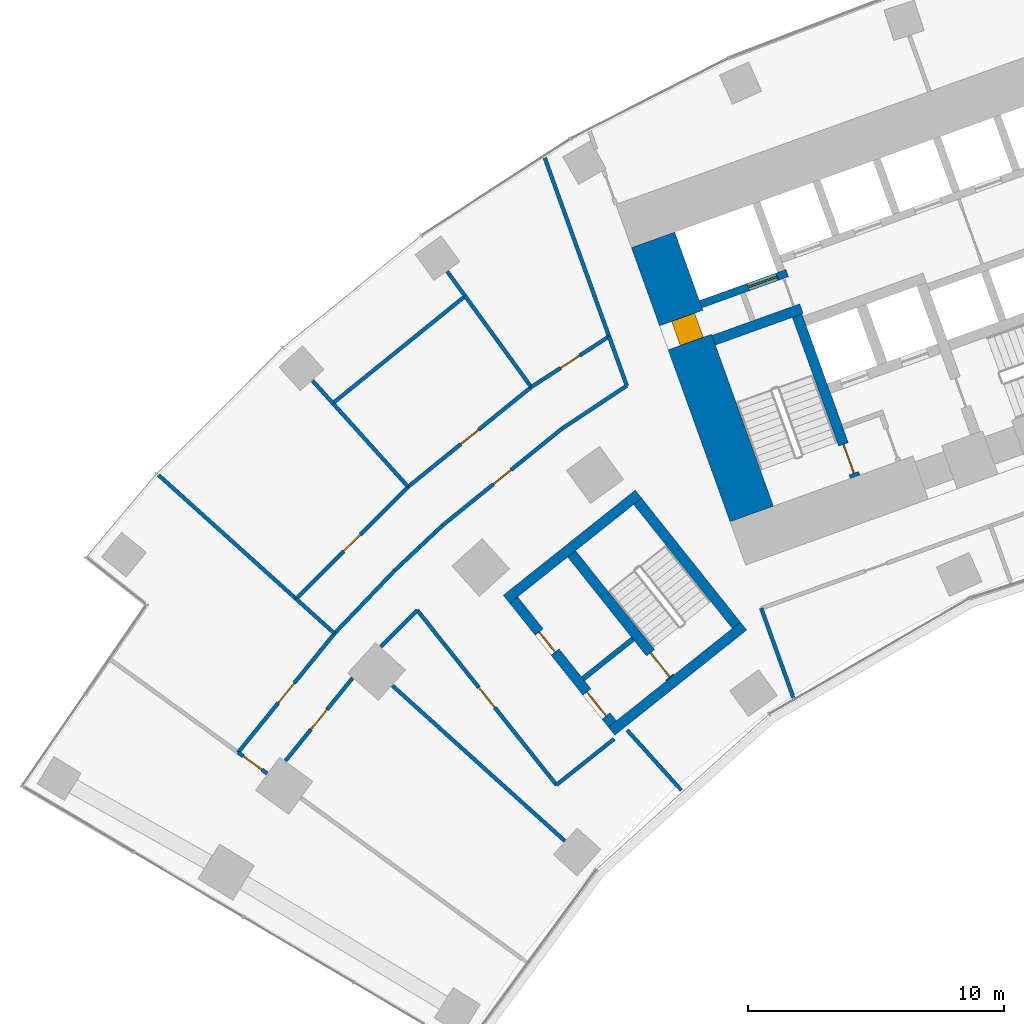
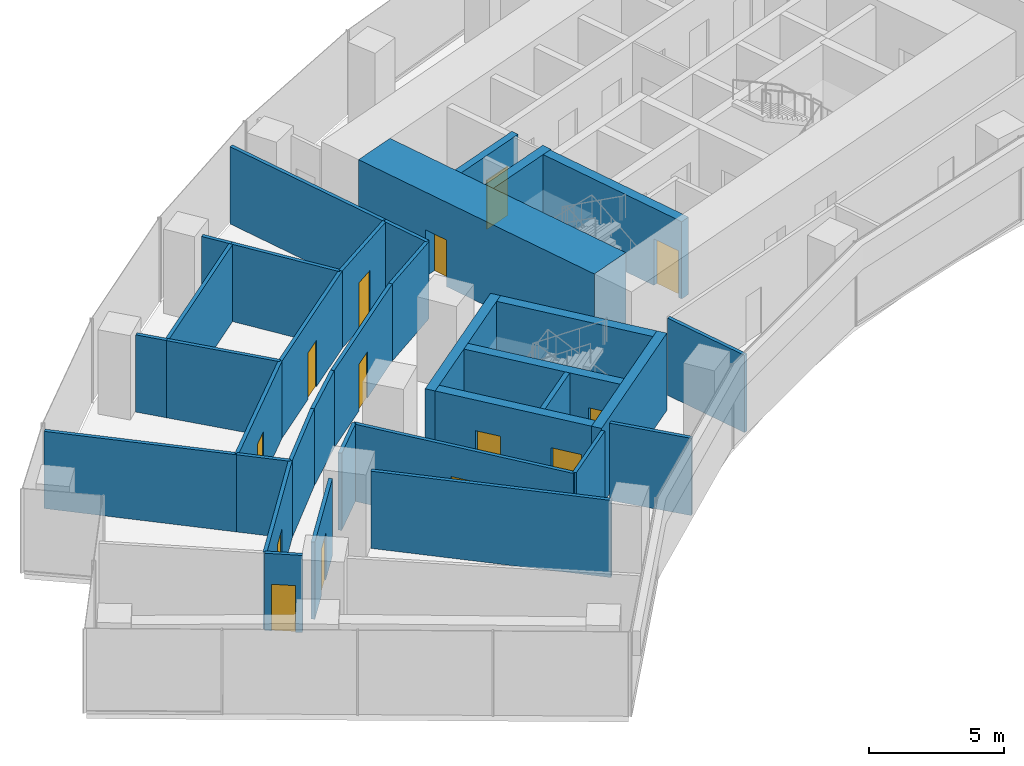
# One storey, part 14 of 21: 35 walls, 14 doors, 14 openings.
"""IFC4 building model written with IfcOpenShell, lengths in metres."""

import ifcopenshell
import ifcopenshell.guid

model = None  # the IFC model being written
_history = None  # IfcOwnerHistory: only IFC2X3 demands one
_inside = {}  # id of a spatial element -> (the spatial element, [elements in it])
_under = {}  # id of a project, library or spatial element -> (it, [spatial elements below it])
_declared = {}  # id of a project -> (the project, [libraries it declares])
_typed = {}  # id of a type object -> (the type object, [elements of that type])
_made_of = {}  # id of a material, layer set ... -> (it, [elements and type objects made of it])


def new_model(schema):
    """Start an empty IFC model of exactly this schema.

    Asked for "IFC4X3", IfcOpenShell would pick the latest addendum, in which some entities
    have other attributes; the version numbers below select the first issue.
    IFC2X3 requires an IfcOwnerHistory on every rooted entity: one is made here for all.
    """
    global model, _history
    if schema == "IFC4X3":
        model = ifcopenshell.file(schema_version=(4, 3, 0, 0))
    else:
        model = ifcopenshell.file(schema=schema)
    _inside.clear()
    _under.clear()
    _declared.clear()
    _typed.clear()
    _made_of.clear()
    _history = None
    if model.schema == "IFC2X3":
        org = make("IfcOrganization", Name="unknown")
        user = make(
            "IfcPersonAndOrganization",
            ThePerson=make("IfcPerson", FamilyName="unknown"),
            TheOrganization=org,
        )
        app = make(
            "IfcApplication",
            ApplicationDeveloper=org,
            Version="unknown",
            ApplicationFullName="unknown",
            ApplicationIdentifier="unknown",
        )
        _history = make(
            "IfcOwnerHistory",
            OwningUser=user,
            OwningApplication=app,
            ChangeAction="ADDED",
            CreationDate=0,
        )
    return model


def make(cls, **values):
    """One entity of the class cls with the attributes given. An attribute that is None is left unset."""
    return model.create_entity(
        cls, **{name: value for name, value in values.items() if value is not None}
    )


def rooted(cls, **values):
    """An entity with a GlobalId (a new one), such as an element, a storey or a relation."""
    return make(cls, GlobalId=ifcopenshell.guid.new(), OwnerHistory=_history, **values)


def si_unit(unit_type, name, prefix=None):
    """IfcSIUnit, for example si_unit("LENGTHUNIT", "METRE", prefix="MILLI")."""
    return make("IfcSIUnit", UnitType=unit_type, Prefix=prefix, Name=name)


def assignment(units):
    """IfcUnitAssignment: the units of a project."""
    return None if units is None else make("IfcUnitAssignment", Units=units)


def point(xyz):
    """IfcCartesianPoint."""
    return None if xyz is None else make("IfcCartesianPoint", Coordinates=xyz)


def direction(xyz):
    """IfcDirection."""
    return None if xyz is None else make("IfcDirection", DirectionRatios=xyz)


def frame(location, z_axis=None, x_axis=None):
    """IfcAxis2Placement3D, a coordinate frame: its origin and axes. An axis left out is left unset."""
    return make(
        "IfcAxis2Placement3D",
        Location=point(location),
        Axis=direction(z_axis),
        RefDirection=direction(x_axis),
    )


def frame_2d(location, x_axis=None):
    """IfcAxis2Placement2D, a coordinate frame in the plane: its origin and x axis."""
    return make(
        "IfcAxis2Placement2D", Location=point(location), RefDirection=direction(x_axis)
    )


def origin():
    """The frame at (0, 0, 0) with its axes left unset."""
    return frame((0.0, 0.0, 0.0))


def place(relative_to, where):
    """IfcLocalPlacement: puts the frame where relative to a parent placement (None: the world)."""
    return make(
        "IfcLocalPlacement", PlacementRelTo=relative_to, RelativePlacement=where
    )


def context(
    kind, dimensions, precision=None, world=None, true_north=None, identifier=None
):
    """IfcGeometricRepresentationContext, for example the 3D "Model" context."""
    return make(
        "IfcGeometricRepresentationContext",
        ContextIdentifier=identifier,
        ContextType=kind,
        CoordinateSpaceDimension=dimensions,
        Precision=precision,
        WorldCoordinateSystem=world,
        TrueNorth=true_north,
    )


def subcontext(parent, identifier, kind, view, scale=None):
    """IfcGeometricRepresentationSubContext, for example "Body" below "Model"."""
    return make(
        "IfcGeometricRepresentationSubContext",
        ContextIdentifier=identifier,
        ContextType=kind,
        ParentContext=parent,
        TargetScale=scale,
        TargetView=view,
    )


def project(units=None, contexts=None):
    """IfcProject with its units and contexts."""
    return rooted(
        "IfcProject",
        Name="project",
        RepresentationContexts=contexts,
        UnitsInContext=assignment(units),
    )


def spatial(cls, under=None, at=None, **own):
    """A site, building, storey or space (cls), placed at a placement, below another one or the project."""
    s = rooted(cls, ObjectPlacement=at, **own)
    if under is not None:
        _under.setdefault(under.id(), (under, []))[1].append(s)
    return s


def profile(cls, at=None, kind="AREA", **sizes):
    """A parametric profile (cls). Its sizes go by their IFC names, for example OverallWidth=200.0."""
    return make(cls, ProfileType=kind, Position=at, **sizes)


def rectangle(**sizes):
    """IfcRectangleProfileDef."""
    return profile("IfcRectangleProfileDef", **sizes)


def extrude(swept, where, along, depth):
    """IfcExtrudedAreaSolid: the profile swept, set in the frame where, extruded along a direction by depth."""
    return make(
        "IfcExtrudedAreaSolid",
        SweptArea=swept,
        Position=where,
        ExtrudedDirection=direction(along),
        Depth=depth,
    )


def shape(context_of_items, identifier, shape_type, items):
    """IfcShapeRepresentation: the items that make up one representation, for example the "Body"."""
    return make(
        "IfcShapeRepresentation",
        ContextOfItems=context_of_items,
        RepresentationIdentifier=identifier,
        RepresentationType=shape_type,
        Items=items,
    )


def material(Name=None, Category=None):
    """IfcMaterial."""
    return make("IfcMaterial", Name=Name, Category=Category)


def layer(
    of_material, thickness, ventilated=None, Name=None, Category=None, Priority=None
):
    """IfcMaterialLayer: one layer of a wall or slab, of a material (None: an air gap)."""
    return make(
        "IfcMaterialLayer",
        Material=of_material,
        LayerThickness=thickness,
        IsVentilated=ventilated,
        Name=Name,
        Category=Category,
        Priority=Priority,
    )


def layer_set(layers, Name=None):
    """IfcMaterialLayerSet."""
    return make("IfcMaterialLayerSet", MaterialLayers=layers, LayerSetName=Name)


def made_of(thing, what):
    """Note that an element or type object is made of a material, layer set ...; save() writes the relation."""
    if what is not None:
        _made_of.setdefault(what.id(), (what, []))[1].append(thing)
    return thing


def type_object(cls, material=None, **own):
    """A type object (cls), such as IfcWallType, which elements share."""
    return made_of(rooted(cls, **own), material)


def element(
    cls,
    number,
    at=None,
    inside=None,
    cuts=None,
    type_object=None,
    material=None,
    context=None,
    identifier="Body",
    shape_type=None,
    held_by="IfcProductDefinitionShape",
    body=None,
    shapes=None,
    **own,
):
    """One element of the class cls, such as IfcWall. Its Tag is "e" and its number.

    at: its placement. inside: the storey or other place that contains it. cuts: it is an
    opening in that element (IfcRelVoidsElement). A single representation is given by context,
    identifier, shape_type and body (its items); several are given by shapes. held_by: the class
    of the entity that holds the representations. save() writes the other relations.
    """
    e = rooted(cls, Tag="e%d" % number, ObjectPlacement=at, **own)
    if body is not None:
        shapes = [shape(context, identifier, shape_type, body)]
    if shapes is not None:
        e.Representation = make(held_by, Representations=shapes)
    if inside is not None:
        _inside.setdefault(inside.id(), (inside, []))[1].append(e)
    if cuts is not None:
        rooted(
            "IfcRelVoidsElement", RelatingBuildingElement=cuts, RelatedOpeningElement=e
        )
    if type_object is not None:
        _typed.setdefault(type_object.id(), (type_object, []))[1].append(e)
    return made_of(e, material)


def fill(opening, filler):
    """IfcRelFillsElement: the door or window that sits in an opening."""
    return rooted(
        "IfcRelFillsElement",
        RelatingOpeningElement=opening,
        RelatedBuildingElement=filler,
    )


def aggregate(whole, parts):
    """IfcRelAggregates: a whole, such as a stair, and the parts it consists of."""
    return rooted("IfcRelAggregates", RelatingObject=whole, RelatedObjects=parts)


def save(model, path):
    """Write the relations noted so far, then the file.

    IfcRelAggregates (storeys below a building ...), IfcRelContainedInSpatialStructure (elements
    in a storey), IfcRelDefinesByType, IfcRelAssociatesMaterial and IfcRelDeclares: one each for
    every whole, place, type object, material and project.
    """
    for whole, parts in _under.values():
        aggregate(whole, parts)
    for where, things in _inside.values():
        rooted(
            "IfcRelContainedInSpatialStructure",
            RelatedElements=things,
            RelatingStructure=where,
        )
    for kind, things in _typed.values():
        rooted("IfcRelDefinesByType", RelatedObjects=things, RelatingType=kind)
    for what, things in _made_of.values():
        rooted("IfcRelAssociatesMaterial", RelatedObjects=things, RelatingMaterial=what)
    for by, libraries in _declared.values():
        rooted("IfcRelDeclares", RelatingContext=by, RelatedDefinitions=libraries)
    model.write(path)


model = new_model("IFC4")

# Units and contexts
model_context = context("Model", 3, precision=1e-05, world=origin(), true_north=direction((0.0, 1.0)))
body_context = subcontext(model_context, "Body", "Model", "MODEL_VIEW")
ifc_project = project(units=[si_unit("LENGTHUNIT", "METRE"), si_unit("AREAUNIT", "SQUARE_METRE"), si_unit("VOLUMEUNIT", "CUBIC_METRE"), si_unit("PLANEANGLEUNIT", "RADIAN"), si_unit("MASSUNIT", "GRAM", prefix="KILO")], contexts=[model_context])

# Site, building, storey
site_placement = place(None, origin())
site = spatial("IfcSite", under=ifc_project, at=site_placement, CompositionType="ELEMENT")
building_placement = place(site_placement, origin())
building = spatial("IfcBuilding", under=site, at=building_placement, Name="Stone Belt Terrace Tower", CompositionType="ELEMENT")
storey_placement = place(building_placement, frame((0.0, 0.0, 33.800048828125)))
storey = spatial("IfcBuildingStorey", under=building, at=storey_placement, Name="L07", CompositionType="ELEMENT", Elevation=33.800048828125)

# Wall, opening, door
ifc_material_1 = material(Name="Concrete B80", Category="concrete")
ifc_layer_1 = layer(ifc_material_1, 1.800048828125)
ifc_layer_set_1 = layer_set([ifc_layer_1], Name="Core wall 1800 B80")
wall_type_1 = type_object("IfcWallType", Name="Core wall 1800 B80", PredefinedType="SHEAR", material=ifc_layer_set_1)
wall_1_placement = place(storey_placement, frame((-26.197509765625, 42.96728515625, 0.0), z_axis=(0.0, 0.0, 1.0), x_axis=(-0.338625431531, 0.940921259788, 0.0)))
wall_1 = element("IfcWall", 1, at=wall_1_placement, inside=storey, type_object=wall_type_1, Name="Core A wall end_a L07", PredefinedType="SHEAR", context=body_context, shape_type="SweptSolid", body=[
    extrude(rectangle(XDim=11.400146484375, YDim=1.800048828125, at=frame_2d((5.7001953125, 0.0))), origin(), (0.0, 0.0, 1.0), 3.800048828125),
])
opening_1_placement = place(wall_1_placement, frame((7.150146484375, 0.0, 0.0)))
opening_1 = element("IfcOpeningElement", 2, at=opening_1_placement, cuts=wall_1, Name="Opening L07-C01", PredefinedType="OPENING", context=body_context, shape_type="SweptSolid", body=[
    extrude(rectangle(XDim=1.0, YDim=2.10009765625, at=frame_2d((0.5, 1.050048828125))), frame((0.0, 0.909912109375, 0.0), z_axis=(0.0, -1.0, 0.0), x_axis=(1.0, 0.0, 0.0)), (0.0, 0.0, 1.0), 1.820068359375),
])
ifc_material_2 = material(Name="Timber door leaf", Category="wood")
door_type_1 = type_object("IfcDoorType", Name="Core room door 1000", OperationType="SINGLE_SWING_LEFT", PredefinedType="DOOR", material=ifc_material_2)
door_1_placement = place(opening_1_placement, origin())
door_1 = element("IfcDoor", 3, at=door_1_placement, inside=storey, type_object=door_type_1, Name="Door to Telecommunications riser room core A", OperationType="SINGLE_SWING_LEFT", OverallHeight=2.10009765625, OverallWidth=1.0, PredefinedType="DOOR", context=body_context, shape_type="SweptSolid", body=[
    extrude(rectangle(XDim=1.0, YDim=2.10009765625, at=frame_2d((0.5, 1.050048828125))), frame((0.0, 0.39501953125, 0.0), z_axis=(0.0, -1.0, 0.0), x_axis=(1.0, 0.0, 0.0)), (0.0, 0.0, 1.0), 0.949951171875),
])
fill(opening_1, door_1)

ifc_layer_2 = layer(ifc_material_1, 0.300048828125)
ifc_layer_set_2 = layer_set([ifc_layer_2], Name="Lift shaft wall 300")
wall_type_2 = type_object("IfcWallType", Name="Lift shaft wall 300", PredefinedType="SHEAR", material=ifc_layer_set_2)
wall_2_placement = place(storey_placement, frame((-28.195068359375, 51.17578125, 0.0), z_axis=(0.0, 0.0, 1.0), x_axis=(0.940901243567, 0.338681044427, 0.0)))
wall_2 = element("IfcWall", 4, at=wall_2_placement, inside=storey, type_object=wall_type_2, Name="Core A wall", PredefinedType="SHEAR", context=body_context, shape_type="SweptSolid", body=[
    extrude(rectangle(XDim=3.599853515625, YDim=0.300048828125, at=frame_2d((1.7998046875, 0.0))), origin(), (0.0, 0.0, 1.0), 3.47998046875),
])
opening_2_placement = place(wall_2_placement, frame((1.969970703125, 0.0, 0.0)))
opening_2 = element("IfcOpeningElement", 5, at=opening_2_placement, cuts=wall_2, Name="Opening L07-LD09", PredefinedType="OPENING", context=body_context, shape_type="SweptSolid", body=[
    extrude(rectangle(XDim=1.199951171875, YDim=2.199951171875, at=frame_2d((0.60009765625, 1.10009765625))), frame((0.0, 0.159912109375, 0.0), z_axis=(0.0, -1.0, 0.0), x_axis=(1.0, 0.0, 0.0)), (0.0, 0.0, 1.0), 0.320068359375),
])
ifc_material_3 = material(Name="Stainless steel door leaf", Category="steel")
door_type_2 = type_object("IfcDoorType", Name="Landing door 1200", OperationType="SLIDING_TO_LEFT", PredefinedType="DOOR", material=ifc_material_3)
door_2_placement = place(opening_2_placement, origin())
door_2 = element("IfcDoor", 6, at=door_2_placement, inside=storey, type_object=door_type_2, Name="Landing door SV1 core A", OperationType="SLIDING_TO_LEFT", OverallHeight=2.199951171875, OverallWidth=1.199951171875, PredefinedType="DOOR", context=body_context, shape_type="SweptSolid", body=[
    extrude(rectangle(XDim=1.199951171875, YDim=2.199951171875, at=frame_2d((0.60009765625, 1.10009765625))), frame((0.0, 0.02490234375, 0.0), z_axis=(0.0, -1.0, 0.0), x_axis=(1.0, 0.0, 0.0)), (0.0, 0.0, 1.0), 0.050048828125),
])
fill(opening_2, door_2)

# Walls
ifc_material_4 = material(Name="Gypsum board partition")
ifc_layer_3 = layer(ifc_material_4, 0.14990234375)
ifc_layer_set_3 = layer_set([ifc_layer_3], Name="PARTITION 150 EI 60")
wall_type_3 = type_object("IfcWallType", Name="PARTITION 150 EI 60", PredefinedType="PARTITIONING", material=ifc_layer_set_3)
wall_3_placement = place(storey_placement, frame((-25.826904296875, 39.281005859375, 0.0), z_axis=(0.0, 0.0, 1.0), x_axis=(0.338392582605, -0.941005026574, 0.0)))
element("IfcWall", 7, at=wall_3_placement, inside=storey, type_object=wall_type_3, Name="L07/wall/i001", PredefinedType="PARTITIONING", context=body_context, shape_type="SweptSolid", body=[
    extrude(rectangle(XDim=3.729248046875, YDim=0.14990234375, at=frame_2d((1.86474609375, 0.0))), origin(), (0.0, 0.0, 1.0), 3.47998046875),
])
wall_4_placement = place(storey_placement, frame((-28.94775390625, 32.149658203125, 0.0), z_axis=(0.0, 0.0, 1.0), x_axis=(-0.669245279782, 0.74304155704, 0.0)))
element("IfcWall", 8, at=wall_4_placement, inside=storey, type_object=wall_type_3, Name="L07/wall/i004", PredefinedType="PARTITIONING", context=body_context, shape_type="SweptSolid", body=[
    extrude(rectangle(XDim=3.172607421875, YDim=0.14990234375, at=frame_2d((1.58642578125, 0.0))), origin(), (0.0, 0.0, 1.0), 3.47998046875),
])
wall_5_placement = place(storey_placement, frame((-31.083984375, 47.98095703125, 0.0), z_axis=(0.0, 0.0, 1.0), x_axis=(-0.338975203453, 0.940795307941, 0.0)))
element("IfcWall", 9, at=wall_5_placement, inside=storey, type_object=wall_type_3, Name="L07/wall/i005", PredefinedType="PARTITIONING", context=body_context, shape_type="SweptSolid", body=[
    extrude(rectangle(XDim=2.06201171875, YDim=0.14990234375, at=frame_2d((1.031005859375, 0.0))), origin(), (0.0, 0.0, 1.0), 3.47998046875),
])
wall_6_placement = place(storey_placement, frame((-31.779052734375, 49.909912109375, 0.0), z_axis=(0.0, 0.0, 1.0), x_axis=(-0.338595127204, 0.940932165373, 0.0)))
element("IfcWall", 10, at=wall_6_placement, inside=storey, type_object=wall_type_3, Name="L07/wall/i006", PredefinedType="PARTITIONING", context=body_context, shape_type="SweptSolid", body=[
    extrude(rectangle(XDim=7.439697265625, YDim=0.14990234375, at=frame_2d((3.7197265625, 0.0))), origin(), (0.0, 0.0, 1.0), 3.47998046875),
])

# Wall, opening, door
wall_7_placement = place(storey_placement, frame((-45.167236328125, 32.816162109375, 0.0), z_axis=(0.0, 0.0, 1.0), x_axis=(-0.809353623303, 0.587321643094, 0.0)))
wall_7 = element("IfcWall", 11, at=wall_7_placement, inside=storey, type_object=wall_type_3, Name="L07/wall/i031", PredefinedType="PARTITIONING", context=body_context, shape_type="SweptSolid", body=[
    extrude(rectangle(XDim=1.40087890625, YDim=0.14990234375, at=frame_2d((0.700439453125, 0.0))), origin(), (0.0, 0.0, 1.0), 3.47998046875),
])
opening_3_placement = place(wall_7_placement, frame((0.25048828125, 0.0, 0.0)))
opening_3 = element("IfcOpeningElement", 12, at=opening_3_placement, cuts=wall_7, Name="Opening D-A1b-09", PredefinedType="OPENING", context=body_context, shape_type="SweptSolid", body=[
    extrude(rectangle(XDim=0.89990234375, YDim=2.10009765625, at=frame_2d((0.449951171875, 1.050048828125))), frame((0.0, 0.0849609375, 0.0), z_axis=(0.0, -1.0, 0.0), x_axis=(1.0, 0.0, 0.0)), (0.0, 0.0, 1.0), 0.169921875),
])
ifc_material_5 = material(Name="Timber fire door leaf", Category="wood")
door_type_3 = type_object("IfcDoorType", Name="TENANCY ENTRANCE DOOR 900 X 2100", OperationType="NOTDEFINED", PredefinedType="DOOR", material=ifc_material_5)
door_3_placement = place(opening_3_placement, origin())
door_3 = element("IfcDoor", 13, at=door_3_placement, inside=storey, type_object=door_type_3, Name="L07/door/i09", OperationType="SINGLE_SWING_RIGHT", OverallHeight=2.10009765625, OverallWidth=0.89990234375, PredefinedType="DOOR", context=body_context, shape_type="SweptSolid", body=[
    extrude(rectangle(XDim=0.89990234375, YDim=2.10009765625, at=frame_2d((0.449951171875, 1.050048828125))), frame((0.0, 0.02490234375, 0.0), z_axis=(0.0, -1.0, 0.0), x_axis=(1.0, 0.0, 0.0)), (0.0, 0.0, 1.0), 0.050048828125),
])
fill(opening_3, door_3)

# Wall
wall_8_placement = place(storey_placement, frame((-40.1640625, 40.761962890625, 0.0), z_axis=(0.0, 0.0, 1.0), x_axis=(0.727996599904, 0.685580739613, 0.0)))
element("IfcWall", 14, at=wall_8_placement, inside=storey, type_object=wall_type_3, Name="L07/wall/i034", PredefinedType="PARTITIONING", context=body_context, shape_type="SweptSolid", body=[
    extrude(rectangle(XDim=2.572998046875, YDim=0.14990234375, at=frame_2d((1.28662109375, 0.0))), origin(), (0.0, 0.0, 1.0), 3.47998046875),
])

# Wall, opening, door
wall_9_placement = place(storey_placement, frame((-38.2900390625, 42.527099609375, 0.0), z_axis=(0.0, 0.0, 1.0), x_axis=(0.77714422733, 0.629322532513, 0.0)))
wall_9 = element("IfcWall", 15, at=wall_9_placement, inside=storey, type_object=wall_type_3, Name="L07/wall/i035", PredefinedType="PARTITIONING", context=body_context, shape_type="SweptSolid", body=[
    extrude(rectangle(XDim=5.98876953125, YDim=0.14990234375, at=frame_2d((2.994384765625, 0.0))), origin(), (0.0, 0.0, 1.0), 3.47998046875),
])
opening_4_placement = place(wall_9_placement, frame((2.54443359375, 0.0, 0.0)))
opening_4 = element("IfcOpeningElement", 16, at=opening_4_placement, cuts=wall_9, Name="Opening D-A1b-12", PredefinedType="OPENING", context=body_context, shape_type="SweptSolid", body=[
    extrude(rectangle(XDim=0.89990234375, YDim=2.10009765625, at=frame_2d((0.449951171875, 1.050048828125))), frame((0.0, 0.0849609375, 0.0), z_axis=(0.0, -1.0, 0.0), x_axis=(1.0, 0.0, 0.0)), (0.0, 0.0, 1.0), 0.169921875),
])
door_type_4 = type_object("IfcDoorType", Name="OFFICE DOOR 900 X 2100", OperationType="NOTDEFINED", PredefinedType="DOOR", material=ifc_material_2)
door_4_placement = place(opening_4_placement, origin())
door_4 = element("IfcDoor", 17, at=door_4_placement, inside=storey, type_object=door_type_4, Name="L07/door/i12", OperationType="SINGLE_SWING_RIGHT", OverallHeight=2.10009765625, OverallWidth=0.89990234375, PredefinedType="DOOR", context=body_context, shape_type="SweptSolid", body=[
    extrude(rectangle(XDim=0.89990234375, YDim=2.10009765625, at=frame_2d((0.449951171875, 1.050048828125))), frame((0.0, 0.02490234375, 0.0), z_axis=(0.0, -1.0, 0.0), x_axis=(1.0, 0.0, 0.0)), (0.0, 0.0, 1.0), 0.050048828125),
])
fill(opening_4, door_4)

# Walls
wall_10_placement = place(storey_placement, frame((-33.635986328125, 46.2958984375, 0.0), z_axis=(0.0, 0.0, 1.0), x_axis=(0.833385857539, 0.552691607005, 0.0)))
element("IfcWall", 18, at=wall_10_placement, inside=storey, type_object=wall_type_3, Name="L07/wall/i036", PredefinedType="PARTITIONING", context=body_context, shape_type="SweptSolid", body=[
    extrude(rectangle(XDim=3.059814453125, YDim=0.14990234375, at=frame_2d((1.52978515625, 0.0))), origin(), (0.0, 0.0, 1.0), 3.47998046875),
])
wall_11_placement = place(storey_placement, frame((-39.285888671875, 39.200927734375, 0.0), z_axis=(0.0, 0.0, 1.0), x_axis=(-0.707106781187, -0.707106781187, 0.0)))
element("IfcWall", 19, at=wall_11_placement, inside=storey, type_object=wall_type_3, Name="L07/wall/i037", PredefinedType="PARTITIONING", context=body_context, shape_type="SweptSolid", body=[
    extrude(rectangle(XDim=2.017333984375, YDim=0.14990234375, at=frame_2d((1.0087890625, 0.0))), origin(), (0.0, 0.0, 1.0), 3.47998046875),
])

# Wall, opening, door
wall_12_placement = place(storey_placement, frame((-41.82373046875, 36.541259765625, 0.0), z_axis=(0.0, 0.0, 1.0), x_axis=(-0.629213442028, -0.777232554884, 0.0)))
wall_12 = element("IfcWall", 20, at=wall_12_placement, inside=storey, type_object=wall_type_3, Name="L07/wall/i038", PredefinedType="PARTITIONING", context=body_context, shape_type="SweptSolid", body=[
    extrude(rectangle(XDim=4.15478515625, YDim=0.14990234375, at=frame_2d((2.077392578125, 0.0))), origin(), (0.0, 0.0, 1.0), 3.47998046875),
])
opening_5_placement = place(wall_12_placement, frame((1.577392578125, 0.0, 0.0)))
opening_5 = element("IfcOpeningElement", 21, at=opening_5_placement, cuts=wall_12, Name="Opening D-A1b-11", PredefinedType="OPENING", context=body_context, shape_type="SweptSolid", body=[
    extrude(rectangle(XDim=1.0, YDim=2.10009765625, at=frame_2d((0.5, 1.050048828125))), frame((0.0, 0.0849609375, 0.0), z_axis=(0.0, -1.0, 0.0), x_axis=(1.0, 0.0, 0.0)), (0.0, 0.0, 1.0), 0.169921875),
])
door_type_5 = type_object("IfcDoorType", Name="TENANCY ENTRANCE DOOR 1000 X 2100", OperationType="NOTDEFINED", PredefinedType="DOOR", material=ifc_material_5)
door_5_placement = place(opening_5_placement, origin())
door_5 = element("IfcDoor", 22, at=door_5_placement, inside=storey, type_object=door_type_5, Name="L07/door/i11", OperationType="SINGLE_SWING_RIGHT", OverallHeight=2.10009765625, OverallWidth=1.0, PredefinedType="DOOR", context=body_context, shape_type="SweptSolid", body=[
    extrude(rectangle(XDim=1.0, YDim=2.10009765625, at=frame_2d((0.5, 1.050048828125))), frame((0.0, 0.02490234375, 0.0), z_axis=(0.0, -1.0, 0.0), x_axis=(1.0, 0.0, 0.0)), (0.0, 0.0, 1.0), 0.050048828125),
])
fill(opening_5, door_5)

# Wall
wall_13_placement = place(storey_placement, frame((-42.52587890625, 38.291015625, 0.0), z_axis=(0.0, 0.0, 1.0), x_axis=(0.690963131402, 0.722889999269, 0.0)))
element("IfcWall", 23, at=wall_13_placement, inside=storey, type_object=wall_type_3, Name="L07/wall/i039", PredefinedType="PARTITIONING", context=body_context, shape_type="SweptSolid", body=[
    extrude(rectangle(XDim=3.418212890625, YDim=0.14990234375, at=frame_2d((1.708984375, 0.0))), origin(), (0.0, 0.0, 1.0), 3.47998046875),
])

# Wall, opening, door
wall_14_placement = place(storey_placement, frame((-46.2958984375, 33.635986328125, 0.0), z_axis=(0.0, 0.0, 1.0), x_axis=(0.629322532513, 0.77714422733, 0.0)))
wall_14 = element("IfcWall", 24, at=wall_14_placement, inside=storey, type_object=wall_type_3, Name="L07/wall/i040", PredefinedType="PARTITIONING", context=body_context, shape_type="SweptSolid", body=[
    extrude(rectangle(XDim=5.98876953125, YDim=0.14990234375, at=frame_2d((2.994384765625, 0.0))), origin(), (0.0, 0.0, 1.0), 3.47998046875),
])
opening_6_placement = place(wall_14_placement, frame((2.494384765625, 0.0, 0.0)))
opening_6 = element("IfcOpeningElement", 25, at=opening_6_placement, cuts=wall_14, Name="Opening D-A1b-16", PredefinedType="OPENING", context=body_context, shape_type="SweptSolid", body=[
    extrude(rectangle(XDim=1.0, YDim=2.10009765625, at=frame_2d((0.5, 1.050048828125))), frame((0.0, 0.0849609375, 0.0), z_axis=(0.0, -1.0, 0.0), x_axis=(1.0, 0.0, 0.0)), (0.0, 0.0, 1.0), 0.169921875),
])
door_6_placement = place(opening_6_placement, origin())
door_6 = element("IfcDoor", 26, at=door_6_placement, inside=storey, type_object=door_type_5, Name="L07/door/i16", OperationType="SINGLE_SWING_RIGHT", OverallHeight=2.10009765625, OverallWidth=1.0, PredefinedType="DOOR", context=body_context, shape_type="SweptSolid", body=[
    extrude(rectangle(XDim=1.0, YDim=2.10009765625, at=frame_2d((0.5, 1.050048828125))), frame((0.0, 0.02490234375, 0.0), z_axis=(0.0, -1.0, 0.0), x_axis=(1.0, 0.0, 0.0)), (0.0, 0.0, 1.0), 0.050048828125),
])
fill(opening_6, door_6)

# Wall
wall_15_placement = place(storey_placement, frame((-31.58203125, 34.1640625, 0.0), z_axis=(0.0, 0.0, 1.0), x_axis=(-0.78211299795, -0.623136629029, 0.0)))
element("IfcWall", 27, at=wall_15_placement, inside=storey, type_object=wall_type_3, Name="L07/wall/i041", PredefinedType="PARTITIONING", context=body_context, shape_type="SweptSolid", body=[
    extrude(rectangle(XDim=2.88720703125, YDim=0.14990234375, at=frame_2d((1.443603515625, 0.0))), origin(), (0.0, 0.0, 1.0), 3.47998046875),
])

# Wall, opening, door
wall_16_placement = place(storey_placement, frame((-33.841064453125, 32.365966796875, 0.0), z_axis=(0.0, 0.0, 1.0), x_axis=(-0.623137799721, 0.782112065217, 0.0)))
wall_16 = element("IfcWall", 28, at=wall_16_placement, inside=storey, type_object=wall_type_3, Name="L07/wall/i042", PredefinedType="PARTITIONING", context=body_context, shape_type="SweptSolid", body=[
    extrude(rectangle(XDim=8.744384765625, YDim=0.14990234375, at=frame_2d((4.3720703125, 0.0))), origin(), (0.0, 0.0, 1.0), 3.47998046875),
])
opening_7_placement = place(wall_16_placement, frame((3.8720703125, 0.0, 0.0)))
opening_7 = element("IfcOpeningElement", 29, at=opening_7_placement, cuts=wall_16, Name="Opening D-A1b-10", PredefinedType="OPENING", context=body_context, shape_type="SweptSolid", body=[
    extrude(rectangle(XDim=1.0, YDim=2.10009765625, at=frame_2d((0.5, 1.050048828125))), frame((0.0, 0.0849609375, 0.0), z_axis=(0.0, -1.0, 0.0), x_axis=(1.0, 0.0, 0.0)), (0.0, 0.0, 1.0), 0.169921875),
])
door_7_placement = place(opening_7_placement, origin())
door_7 = element("IfcDoor", 30, at=door_7_placement, inside=storey, type_object=door_type_5, Name="L07/door/i10", OperationType="SINGLE_SWING_RIGHT", OverallHeight=2.10009765625, OverallWidth=1.0, PredefinedType="DOOR", context=body_context, shape_type="SweptSolid", body=[
    extrude(rectangle(XDim=1.0, YDim=2.10009765625, at=frame_2d((0.5, 1.050048828125))), frame((0.0, 0.02490234375, 0.0), z_axis=(0.0, -1.0, 0.0), x_axis=(1.0, 0.0, 0.0)), (0.0, 0.0, 1.0), 0.050048828125),
])
fill(opening_7, door_7)

# Wall
wall_17_placement = place(storey_placement, frame((-33.515869140625, 30.177734375, 0.0), z_axis=(0.0, 0.0, 1.0), x_axis=(-0.743122805234, 0.669155061508, 0.0)))
element("IfcWall", 31, at=wall_17_placement, inside=storey, type_object=wall_type_3, Name="L07/wall/i043", PredefinedType="PARTITIONING", context=body_context, shape_type="SweptSolid", body=[
    extrude(rectangle(XDim=9.070068359375, YDim=0.14990234375, at=frame_2d((4.53515625, 0.0))), origin(), (0.0, 0.0, 1.0), 3.47998046875),
])

# Wall, opening, door
wall_18_placement = place(storey_placement, frame((-44.030029296875, 39.64599609375, 0.0), z_axis=(0.0, 0.0, 1.0), x_axis=(0.707106781187, 0.707106781187, 0.0)))
wall_18 = element("IfcWall", 32, at=wall_18_placement, inside=storey, type_object=wall_type_3, Name="L07/wall/i044", PredefinedType="PARTITIONING", context=body_context, shape_type="SweptSolid", body=[
    extrude(rectangle(XDim=6.201416015625, YDim=0.14990234375, at=frame_2d((3.1005859375, 0.0))), origin(), (0.0, 0.0, 1.0), 3.47998046875),
])
opening_8_placement = place(wall_18_placement, frame((2.650634765625, 0.0, 0.0)))
opening_8 = element("IfcOpeningElement", 33, at=opening_8_placement, cuts=wall_18, Name="Opening D-A1b-13", PredefinedType="OPENING", context=body_context, shape_type="SweptSolid", body=[
    extrude(rectangle(XDim=0.89990234375, YDim=2.10009765625, at=frame_2d((0.449951171875, 1.050048828125))), frame((0.0, 0.0849609375, 0.0), z_axis=(0.0, -1.0, 0.0), x_axis=(1.0, 0.0, 0.0)), (0.0, 0.0, 1.0), 0.169921875),
])
door_8_placement = place(opening_8_placement, origin())
door_8 = element("IfcDoor", 34, at=door_8_placement, inside=storey, type_object=door_type_4, Name="L07/door/i13", OperationType="SINGLE_SWING_RIGHT", OverallHeight=2.10009765625, OverallWidth=0.89990234375, PredefinedType="DOOR", context=body_context, shape_type="SweptSolid", body=[
    extrude(rectangle(XDim=0.89990234375, YDim=2.10009765625, at=frame_2d((0.449951171875, 1.050048828125))), frame((0.0, 0.02490234375, 0.0), z_axis=(0.0, -1.0, 0.0), x_axis=(1.0, 0.0, 0.0)), (0.0, 0.0, 1.0), 0.050048828125),
])
fill(opening_8, door_8)

wall_19_placement = place(storey_placement, frame((-39.64501953125, 44.031005859375, 0.0), z_axis=(0.0, 0.0, 1.0), x_axis=(0.777094493267, 0.629383943658, 0.0)))
wall_19 = element("IfcWall", 35, at=wall_19_placement, inside=storey, type_object=wall_type_3, Name="L07/wall/i045", PredefinedType="PARTITIONING", context=body_context, shape_type="SweptSolid", body=[
    extrude(rectangle(XDim=6.201416015625, YDim=0.14990234375, at=frame_2d((3.1005859375, 0.0))), origin(), (0.0, 0.0, 1.0), 3.47998046875),
])
opening_9_placement = place(wall_19_placement, frame((2.650634765625, 0.0, 0.0)))
opening_9 = element("IfcOpeningElement", 36, at=opening_9_placement, cuts=wall_19, Name="Opening D-A1b-14", PredefinedType="OPENING", context=body_context, shape_type="SweptSolid", body=[
    extrude(rectangle(XDim=0.89990234375, YDim=2.10009765625, at=frame_2d((0.449951171875, 1.050048828125))), frame((0.0, 0.0849609375, 0.0), z_axis=(0.0, -1.0, 0.0), x_axis=(1.0, 0.0, 0.0)), (0.0, 0.0, 1.0), 0.169921875),
])
door_9_placement = place(opening_9_placement, origin())
door_9 = element("IfcDoor", 37, at=door_9_placement, inside=storey, type_object=door_type_4, Name="L07/door/i14", OperationType="SINGLE_SWING_RIGHT", OverallHeight=2.10009765625, OverallWidth=0.89990234375, PredefinedType="DOOR", context=body_context, shape_type="SweptSolid", body=[
    extrude(rectangle(XDim=0.89990234375, YDim=2.10009765625, at=frame_2d((0.449951171875, 1.050048828125))), frame((0.0, 0.02490234375, 0.0), z_axis=(0.0, -1.0, 0.0), x_axis=(1.0, 0.0, 0.0)), (0.0, 0.0, 1.0), 0.050048828125),
])
fill(opening_9, door_9)

wall_20_placement = place(storey_placement, frame((-34.825927734375, 47.93408203125, 0.0), z_axis=(0.0, 0.0, 1.0), x_axis=(0.838179507416, 0.545394456653, 0.0)))
wall_20 = element("IfcWall", 38, at=wall_20_placement, inside=storey, type_object=wall_type_3, Name="L07/wall/i046", PredefinedType="PARTITIONING", context=body_context, shape_type="SweptSolid", body=[
    extrude(rectangle(XDim=3.634033203125, YDim=0.14990234375, at=frame_2d((1.81689453125, 0.0))), origin(), (0.0, 0.0, 1.0), 3.47998046875),
])
opening_10_placement = place(wall_20_placement, frame((1.366943359375, 0.0, 0.0)))
opening_10 = element("IfcOpeningElement", 39, at=opening_10_placement, cuts=wall_20, Name="Opening D-A1b-15", PredefinedType="OPENING", context=body_context, shape_type="SweptSolid", body=[
    extrude(rectangle(XDim=0.89990234375, YDim=2.10009765625, at=frame_2d((0.449951171875, 1.050048828125))), frame((0.0, 0.0849609375, 0.0), z_axis=(0.0, -1.0, 0.0), x_axis=(1.0, 0.0, 0.0)), (0.0, 0.0, 1.0), 0.169921875),
])
door_10_placement = place(opening_10_placement, origin())
door_10 = element("IfcDoor", 40, at=door_10_placement, inside=storey, type_object=door_type_4, Name="L07/door/i15", OperationType="SINGLE_SWING_RIGHT", OverallHeight=2.10009765625, OverallWidth=0.89990234375, PredefinedType="DOOR", context=body_context, shape_type="SweptSolid", body=[
    extrude(rectangle(XDim=0.89990234375, YDim=2.10009765625, at=frame_2d((0.449951171875, 1.050048828125))), frame((0.0, 0.02490234375, 0.0), z_axis=(0.0, -1.0, 0.0), x_axis=(1.0, 0.0, 0.0)), (0.0, 0.0, 1.0), 0.050048828125),
])
fill(opening_10, door_10)

# Walls
wall_21_placement = place(storey_placement, frame((-42.52587890625, 38.291015625, 0.0), z_axis=(0.0, 0.0, 1.0), x_axis=(-0.742988249307, 0.669304460908, 0.0)))
element("IfcWall", 41, at=wall_21_placement, inside=storey, type_object=wall_type_3, Name="L07/wall/i047", PredefinedType="PARTITIONING", context=body_context, shape_type="SweptSolid", body=[
    extrude(rectangle(XDim=2.0244140625, YDim=0.14990234375, at=frame_2d((1.01220703125, 0.0))), origin(), (0.0, 0.0, 1.0), 3.47998046875),
])
wall_22_placement = place(storey_placement, frame((-42.593017578125, 47.304931640625, 0.0), z_axis=(0.0, 0.0, 1.0), x_axis=(0.669148410698, -0.743128793992, 0.0)))
element("IfcWall", 42, at=wall_22_placement, inside=storey, type_object=wall_type_3, Name="L07/wall/i048", PredefinedType="PARTITIONING", context=body_context, shape_type="SweptSolid", body=[
    extrude(rectangle(XDim=4.405517578125, YDim=0.14990234375, at=frame_2d((2.20263671875, 0.0))), origin(), (0.0, 0.0, 1.0), 3.47998046875),
])
wall_23_placement = place(storey_placement, frame((-43.382080078125, 48.18115234375, 0.0), z_axis=(0.0, 0.0, 1.0), x_axis=(0.669145878726, -0.743131073892, 0.0)))
element("IfcWall", 43, at=wall_23_placement, inside=storey, type_object=wall_type_3, Name="L07/wall/i049", PredefinedType="PARTITIONING", context=body_context, shape_type="SweptSolid", body=[
    extrude(rectangle(XDim=1.191162109375, YDim=0.14990234375, at=frame_2d((0.595703125, 0.0))), origin(), (0.0, 0.0, 1.0), 3.47998046875),
])
wall_24_placement = place(storey_placement, frame((-44.030029296875, 39.64599609375, 0.0), z_axis=(0.0, 0.0, 1.0), x_axis=(-0.74319367285, 0.669076351874, 0.0)))
element("IfcWall", 44, at=wall_24_placement, inside=storey, type_object=wall_type_3, Name="L07/wall/i050", PredefinedType="PARTITIONING", context=body_context, shape_type="SweptSolid", body=[
    extrude(rectangle(XDim=7.25, YDim=0.14990234375, at=frame_2d((3.625, 0.0))), origin(), (0.0, 0.0, 1.0), 3.47998046875),
])
wall_25_placement = place(storey_placement, frame((-42.589111328125, 47.301025390625, 0.0), z_axis=(0.0, 0.0, 1.0), x_axis=(0.777172317777, 0.629287842312, 0.0)))
element("IfcWall", 45, at=wall_25_placement, inside=storey, type_object=wall_type_3, Name="L07/wall/i051", PredefinedType="PARTITIONING", context=body_context, shape_type="SweptSolid", body=[
    extrude(rectangle(XDim=6.661376953125, YDim=0.14990234375, at=frame_2d((3.33056640625, 0.0))), origin(), (0.0, 0.0, 1.0), 3.47998046875),
])
wall_26_placement = place(storey_placement, frame((-37.412109375, 51.492919921875, 0.0), z_axis=(0.0, 0.0, 1.0), x_axis=(0.58786477972, -0.808959208344, 0.0)))
element("IfcWall", 46, at=wall_26_placement, inside=storey, type_object=wall_type_3, Name="L07/wall/i052", PredefinedType="PARTITIONING", context=body_context, shape_type="SweptSolid", body=[
    extrude(rectangle(XDim=4.399169921875, YDim=0.14990234375, at=frame_2d((2.19970703125, 0.0))), origin(), (0.0, 0.0, 1.0), 3.47998046875),
])
wall_27_placement = place(storey_placement, frame((-38.1083984375, 52.45166015625, 0.0), z_axis=(0.0, 0.0, 1.0), x_axis=(0.587632515929, -0.809127941813, 0.0)))
element("IfcWall", 47, at=wall_27_placement, inside=storey, type_object=wall_type_3, Name="L07/wall/i053", PredefinedType="PARTITIONING", context=body_context, shape_type="SweptSolid", body=[
    extrude(rectangle(XDim=1.184814453125, YDim=0.14990234375, at=frame_2d((0.59228515625, 0.0))), origin(), (0.0, 0.0, 1.0), 3.47998046875),
])
ifc_material_6 = material(Name="Concrete masonry block", Category="masonry")
ifc_layer_4 = layer(ifc_material_6, 0.199951171875)
ifc_layer_set_4 = layer_set([ifc_layer_4], Name="Rated lobby wall 200")
wall_type_4 = type_object("IfcWallType", Name="Rated lobby wall 200", PredefinedType="PARTITIONING", material=ifc_layer_set_4)
wall_28_placement = place(storey_placement, frame((-30.845703125, 38.074951171875, 0.0), z_axis=(0.0, 0.0, 1.0), x_axis=(-0.782115323833, -0.623133709749, 0.0)))
element("IfcWall", 48, at=wall_28_placement, inside=storey, type_object=wall_type_4, Name="Exit stair ST3A wall", PredefinedType="PARTITIONING", context=body_context, shape_type="SweptSolid", body=[
    extrude(rectangle(XDim=2.5, YDim=0.199951171875, at=frame_2d((1.25, 0.0))), origin(), (0.0, 0.0, 1.0), 3.47998046875),
])
ifc_layer_5 = layer(ifc_material_1, 0.39990234375)
ifc_layer_set_5 = layer_set([ifc_layer_5], Name="Stair enclosure wall 400")
wall_type_5 = type_object("IfcWallType", Name="Stair enclosure wall 400", PredefinedType="SHEAR", material=ifc_layer_set_5)
wall_29_placement = place(storey_placement, frame((-27.687255859375, 49.764404296875, 0.0), z_axis=(0.0, 0.0, 1.0), x_axis=(0.940918954884, 0.338631835981, 0.0)))
element("IfcWall", 49, at=wall_29_placement, inside=storey, type_object=wall_type_5, Name="Core A wall", PredefinedType="SHEAR", context=body_context, shape_type="SweptSolid", body=[
    extrude(rectangle(XDim=3.650146484375, YDim=0.39990234375, at=frame_2d((1.8251953125, 0.0))), origin(), (0.0, 0.0, 1.0), 3.47998046875),
])

# Wall, opening, door
wall_30_placement = place(storey_placement, frame((-22.151611328125, 44.42333984375, 0.0), z_axis=(0.0, 0.0, 1.0), x_axis=(-0.338625272931, 0.940921316866, 0.0)))
wall_30 = element("IfcWall", 50, at=wall_30_placement, inside=storey, type_object=wall_type_5, Name="Core A wall", PredefinedType="SHEAR", context=body_context, shape_type="SweptSolid", body=[
    extrude(rectangle(XDim=6.699951171875, YDim=0.39990234375, at=frame_2d((3.35009765625, 0.0))), origin(), (0.0, 0.0, 1.0), 3.47998046875),
])
opening_11_placement = place(wall_30_placement, frame((0.14990234375, 0.0, 0.0)))
opening_11 = element("IfcOpeningElement", 51, at=opening_11_placement, cuts=wall_30, Name="Opening L07-C05", PredefinedType="OPENING", context=body_context, shape_type="SweptSolid", body=[
    extrude(rectangle(XDim=1.199951171875, YDim=2.10009765625, at=frame_2d((0.60009765625, 1.050048828125))), frame((0.0, 0.2099609375, 0.0), z_axis=(0.0, -1.0, 0.0), x_axis=(1.0, 0.0, 0.0)), (0.0, 0.0, 1.0), 0.419921875),
])
ifc_material_7 = material(Name="Steel door leaf", Category="steel")
door_type_6 = type_object("IfcDoorType", Name="Stair door 1200", OperationType="SINGLE_SWING_LEFT", PredefinedType="DOOR", material=ifc_material_7)
door_11_placement = place(opening_11_placement, origin())
door_11 = element("IfcDoor", 52, at=door_11_placement, inside=storey, type_object=door_type_6, Name="Stair 1 door core A", OperationType="SINGLE_SWING_RIGHT", OverallHeight=2.10009765625, OverallWidth=1.199951171875, PredefinedType="DOOR", context=body_context, shape_type="SweptSolid", body=[
    extrude(rectangle(XDim=1.199951171875, YDim=2.10009765625, at=frame_2d((0.60009765625, 1.050048828125))), frame((0.0, 0.02490234375, 0.0), z_axis=(0.0, -1.0, 0.0), x_axis=(1.0, 0.0, 0.0)), (0.0, 0.0, 1.0), 0.050048828125),
])
fill(opening_11, door_11)

# Walls
for number, where, z_axis, x_axis, name in (
    (53, (-26.518798828125, 38.58154296875, 0.0), (0.0, 0.0, 1.0), (-0.782133914161, -0.623110375711, 0.0), "Exit stair ST3A wall"),
    (54, (-30.63134765625, 43.74365234375, 0.0), (0.0, 0.0, 1.0), (-0.782133914161, -0.623110375711, 0.0), "Exit stair ST3A wall"),
):
    element("IfcWall", number, at=place(storey_placement, frame(where, z_axis=z_axis, x_axis=x_axis)), inside=storey, type_object=wall_type_5, Name=name, PredefinedType="SHEAR", context=body_context, shape_type="SweptSolid", body=[
        extrude(rectangle(XDim=6.60009765625, YDim=0.39990234375, at=frame_2d((3.300048828125, 0.0))), origin(), (0.0, 0.0, 1.0), 3.47998046875),
    ])
wall_31_placement = place(storey_placement, frame((-26.7998046875, 38.61328125, 0.0), z_axis=(0.0, 0.0, 1.0), x_axis=(-0.623118653668, 0.782127319208, 0.0)))
element("IfcWall", 55, at=wall_31_placement, inside=storey, type_object=wall_type_5, Name="Exit stair ST3A wall", PredefinedType="SHEAR", context=body_context, shape_type="SweptSolid", body=[
    extrude(rectangle(XDim=6.199951171875, YDim=0.39990234375, at=frame_2d((3.10009765625, 0.0))), origin(), (0.0, 0.0, 1.0), 3.47998046875),
])

# Wall, openings, doors
wall_32_placement = place(storey_placement, frame((-31.64892578125, 34.75, 0.0), z_axis=(0.0, 0.0, 1.0), x_axis=(-0.623118653668, 0.782127319208, 0.0)))
wall_32 = element("IfcWall", 56, at=wall_32_placement, inside=storey, type_object=wall_type_5, Name="Exit stair ST3A wall", PredefinedType="SHEAR", context=body_context, shape_type="SweptSolid", body=[
    extrude(rectangle(XDim=6.199951171875, YDim=0.39990234375, at=frame_2d((3.10009765625, 0.0))), origin(), (0.0, 0.0, 1.0), 3.47998046875),
])
opening_12_placement = place(wall_32_placement, frame((0.39990234375, 0.0, 0.0)))
opening_12 = element("IfcOpeningElement", 57, at=opening_12_placement, cuts=wall_32, Name="Opening L07-C22", PredefinedType="OPENING", context=body_context, shape_type="SweptSolid", body=[
    extrude(rectangle(XDim=1.199951171875, YDim=2.10009765625, at=frame_2d((0.60009765625, 1.050048828125))), frame((0.0, 0.2099609375, 0.0), z_axis=(0.0, -1.0, 0.0), x_axis=(1.0, 0.0, 0.0)), (0.0, 0.0, 1.0), 0.419921875),
])
opening_13_placement = place(wall_32_placement, frame((3.60009765625, 0.0, 0.0)))
opening_13 = element("IfcOpeningElement", 58, at=opening_13_placement, cuts=wall_32, Name="Opening L07-C23", PredefinedType="OPENING", context=body_context, shape_type="SweptSolid", body=[
    extrude(rectangle(XDim=1.0, YDim=2.10009765625, at=frame_2d((0.5, 1.050048828125))), frame((0.0, 0.2099609375, 0.0), z_axis=(0.0, -1.0, 0.0), x_axis=(1.0, 0.0, 0.0)), (0.0, 0.0, 1.0), 0.419921875),
])
door_12_placement = place(opening_13_placement, origin())
door_12 = element("IfcDoor", 59, at=door_12_placement, inside=storey, type_object=door_type_1, Name="Door to stair pressurisation plant room ST3A", OperationType="SINGLE_SWING_LEFT", OverallHeight=2.10009765625, OverallWidth=1.0, PredefinedType="DOOR", context=body_context, shape_type="SweptSolid", body=[
    extrude(rectangle(XDim=1.0, YDim=2.10009765625, at=frame_2d((0.5, 1.050048828125))), frame((0.0, 0.02490234375, 0.0), z_axis=(0.0, -1.0, 0.0), x_axis=(1.0, 0.0, 0.0)), (0.0, 0.0, 1.0), 0.050048828125),
])
fill(opening_13, door_12)
door_type_7 = type_object("IfcDoorType", Name="Stair airlock door 1200", OperationType="SINGLE_SWING_LEFT", PredefinedType="DOOR", material=ifc_material_7)
door_13_placement = place(opening_12_placement, origin())
door_13 = element("IfcDoor", 60, at=door_13_placement, inside=storey, type_object=door_type_7, Name="Stair airlock door ST3A", OperationType="SINGLE_SWING_LEFT", OverallHeight=2.10009765625, OverallWidth=1.199951171875, PredefinedType="DOOR", context=body_context, shape_type="SweptSolid", body=[
    extrude(rectangle(XDim=1.199951171875, YDim=2.10009765625, at=frame_2d((0.60009765625, 1.050048828125))), frame((0.0, 0.02490234375, 0.0), z_axis=(0.0, -1.0, 0.0), x_axis=(1.0, 0.0, 0.0)), (0.0, 0.0, 1.0), 0.050048828125),
])
fill(opening_12, door_13)

# Wall, opening, door
wall_33_placement = place(storey_placement, frame((-29.380859375, 36.556884765625, 0.0), z_axis=(0.0, 0.0, 1.0), x_axis=(-0.623099462847, 0.782142608097, 0.0)))
wall_33 = element("IfcWall", 61, at=wall_33_placement, inside=storey, type_object=wall_type_5, Name="Exit stair ST3A wall", PredefinedType="SHEAR", context=body_context, shape_type="SweptSolid", body=[
    extrude(rectangle(XDim=6.2001953125, YDim=0.39990234375, at=frame_2d((3.10009765625, 0.0))), origin(), (0.0, 0.0, 1.0), 3.47998046875),
])
opening_14_placement = place(wall_33_placement, frame((0.050048828125, 0.0, 0.0)))
opening_14 = element("IfcOpeningElement", 62, at=opening_14_placement, cuts=wall_33, Name="Opening L07-C21", PredefinedType="OPENING", context=body_context, shape_type="SweptSolid", body=[
    extrude(rectangle(XDim=1.199951171875, YDim=2.10009765625, at=frame_2d((0.60009765625, 1.050048828125))), frame((0.0, 0.2099609375, 0.0), z_axis=(0.0, -1.0, 0.0), x_axis=(1.0, 0.0, 0.0)), (0.0, 0.0, 1.0), 0.419921875),
])
door_14_placement = place(opening_14_placement, origin())
door_14 = element("IfcDoor", 63, at=door_14_placement, inside=storey, type_object=door_type_6, Name="Stair door ST3A", OperationType="SINGLE_SWING_RIGHT", OverallHeight=2.10009765625, OverallWidth=1.199951171875, PredefinedType="DOOR", context=body_context, shape_type="SweptSolid", body=[
    extrude(rectangle(XDim=1.199951171875, YDim=2.10009765625, at=frame_2d((0.60009765625, 1.050048828125))), frame((0.0, 0.02490234375, 0.0), z_axis=(0.0, -1.0, 0.0), x_axis=(1.0, 0.0, 0.0)), (0.0, 0.0, 1.0), 0.050048828125),
])
fill(opening_14, door_14)

save(model, "model.ifc")
